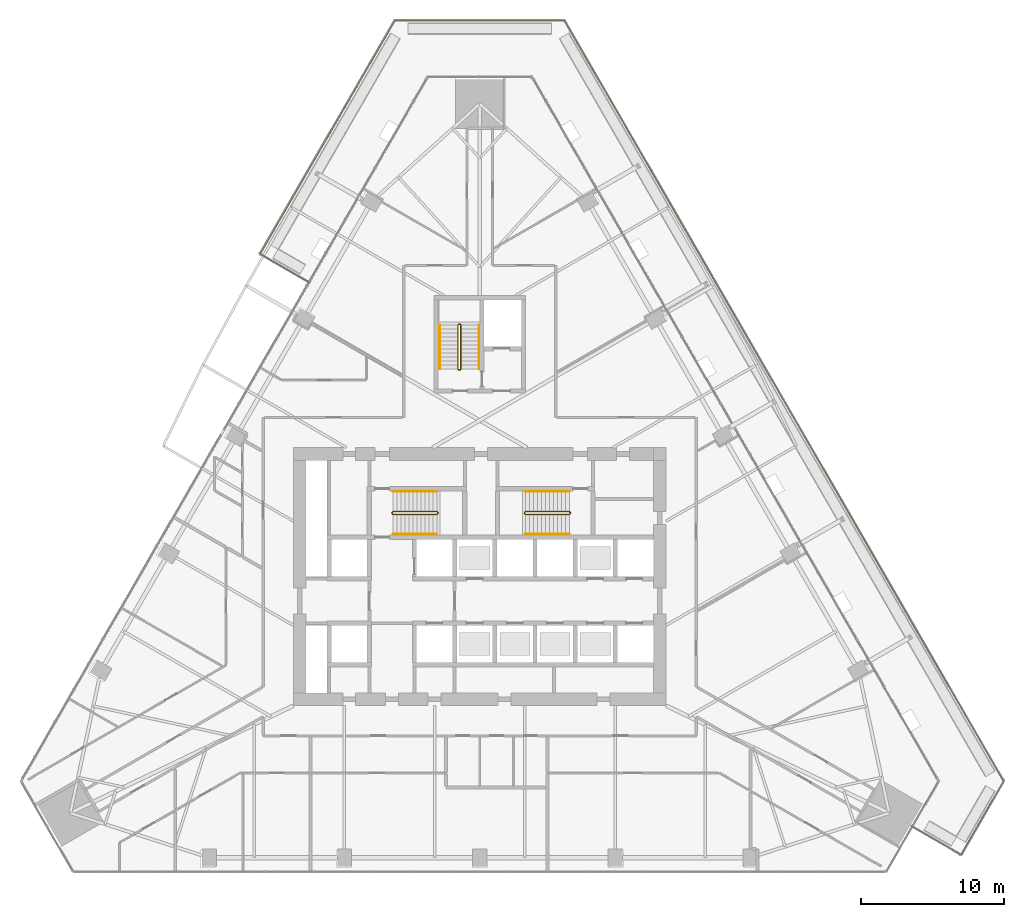
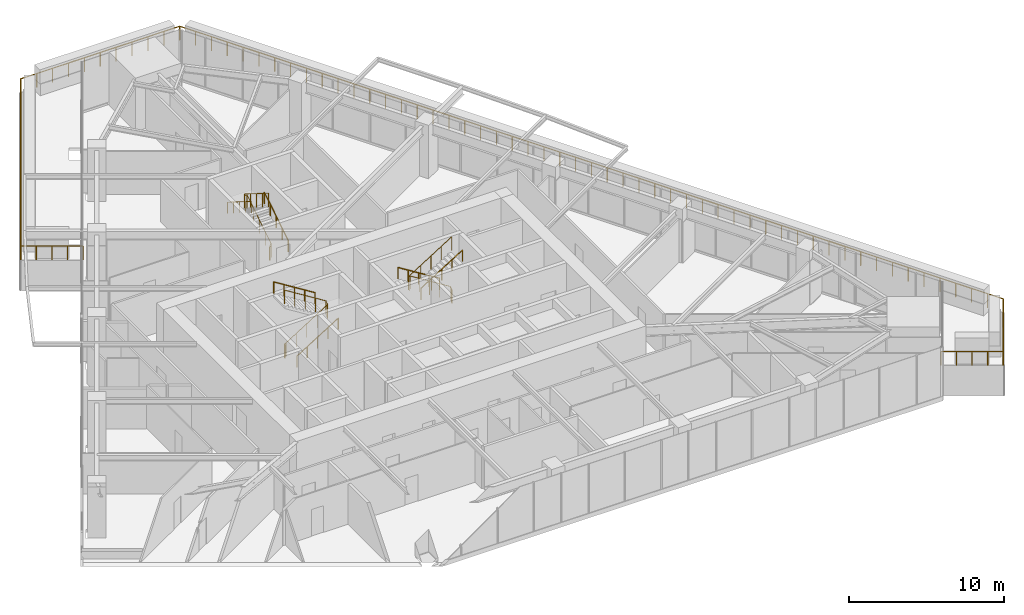
# One storey, part 27 of 29: 10 railings.
"""IFC4 building model written with IfcOpenShell, lengths in metres."""

import ifcopenshell
import ifcopenshell.guid

model = None  # the IFC model being written
_history = None  # IfcOwnerHistory: only IFC2X3 demands one
_inside = {}  # id of a spatial element -> (the spatial element, [elements in it])
_under = {}  # id of a project, library or spatial element -> (it, [spatial elements below it])
_declared = {}  # id of a project -> (the project, [libraries it declares])
_typed = {}  # id of a type object -> (the type object, [elements of that type])
_made_of = {}  # id of a material, layer set ... -> (it, [elements and type objects made of it])


def new_model(schema):
    """Start an empty IFC model of exactly this schema.

    Asked for "IFC4X3", IfcOpenShell would pick the latest addendum, in which some entities
    have other attributes; the version numbers below select the first issue.
    IFC2X3 requires an IfcOwnerHistory on every rooted entity: one is made here for all.
    """
    global model, _history
    if schema == "IFC4X3":
        model = ifcopenshell.file(schema_version=(4, 3, 0, 0))
    else:
        model = ifcopenshell.file(schema=schema)
    _inside.clear()
    _under.clear()
    _declared.clear()
    _typed.clear()
    _made_of.clear()
    _history = None
    if model.schema == "IFC2X3":
        org = make("IfcOrganization", Name="unknown")
        user = make(
            "IfcPersonAndOrganization",
            ThePerson=make("IfcPerson", FamilyName="unknown"),
            TheOrganization=org,
        )
        app = make(
            "IfcApplication",
            ApplicationDeveloper=org,
            Version="unknown",
            ApplicationFullName="unknown",
            ApplicationIdentifier="unknown",
        )
        _history = make(
            "IfcOwnerHistory",
            OwningUser=user,
            OwningApplication=app,
            ChangeAction="ADDED",
            CreationDate=0,
        )
    return model


def make(cls, **values):
    """One entity of the class cls with the attributes given. An attribute that is None is left unset."""
    return model.create_entity(
        cls, **{name: value for name, value in values.items() if value is not None}
    )


def rooted(cls, **values):
    """An entity with a GlobalId (a new one), such as an element, a storey or a relation."""
    return make(cls, GlobalId=ifcopenshell.guid.new(), OwnerHistory=_history, **values)


def si_unit(unit_type, name, prefix=None):
    """IfcSIUnit, for example si_unit("LENGTHUNIT", "METRE", prefix="MILLI")."""
    return make("IfcSIUnit", UnitType=unit_type, Prefix=prefix, Name=name)


def assignment(units):
    """IfcUnitAssignment: the units of a project."""
    return None if units is None else make("IfcUnitAssignment", Units=units)


def point(xyz):
    """IfcCartesianPoint."""
    return None if xyz is None else make("IfcCartesianPoint", Coordinates=xyz)


def direction(xyz):
    """IfcDirection."""
    return None if xyz is None else make("IfcDirection", DirectionRatios=xyz)


def frame(location, z_axis=None, x_axis=None):
    """IfcAxis2Placement3D, a coordinate frame: its origin and axes. An axis left out is left unset."""
    return make(
        "IfcAxis2Placement3D",
        Location=point(location),
        Axis=direction(z_axis),
        RefDirection=direction(x_axis),
    )


def frame_2d(location, x_axis=None):
    """IfcAxis2Placement2D, a coordinate frame in the plane: its origin and x axis."""
    return make(
        "IfcAxis2Placement2D", Location=point(location), RefDirection=direction(x_axis)
    )


def origin():
    """The frame at (0, 0, 0) with its axes left unset."""
    return frame((0.0, 0.0, 0.0))


def origin_2d():
    """The frame at (0, 0) in the plane with its x axis left unset."""
    return frame_2d((0.0, 0.0))


def place(relative_to, where):
    """IfcLocalPlacement: puts the frame where relative to a parent placement (None: the world)."""
    return make(
        "IfcLocalPlacement", PlacementRelTo=relative_to, RelativePlacement=where
    )


def context(
    kind, dimensions, precision=None, world=None, true_north=None, identifier=None
):
    """IfcGeometricRepresentationContext, for example the 3D "Model" context."""
    return make(
        "IfcGeometricRepresentationContext",
        ContextIdentifier=identifier,
        ContextType=kind,
        CoordinateSpaceDimension=dimensions,
        Precision=precision,
        WorldCoordinateSystem=world,
        TrueNorth=true_north,
    )


def subcontext(parent, identifier, kind, view, scale=None):
    """IfcGeometricRepresentationSubContext, for example "Body" below "Model"."""
    return make(
        "IfcGeometricRepresentationSubContext",
        ContextIdentifier=identifier,
        ContextType=kind,
        ParentContext=parent,
        TargetScale=scale,
        TargetView=view,
    )


def project(units=None, contexts=None):
    """IfcProject with its units and contexts."""
    return rooted(
        "IfcProject",
        Name="project",
        RepresentationContexts=contexts,
        UnitsInContext=assignment(units),
    )


def spatial(cls, under=None, at=None, **own):
    """A site, building, storey or space (cls), placed at a placement, below another one or the project."""
    s = rooted(cls, ObjectPlacement=at, **own)
    if under is not None:
        _under.setdefault(under.id(), (under, []))[1].append(s)
    return s


def profile(cls, at=None, kind="AREA", **sizes):
    """A parametric profile (cls). Its sizes go by their IFC names, for example OverallWidth=200.0."""
    return make(cls, ProfileType=kind, Position=at, **sizes)


def circle(**sizes):
    """IfcCircleProfileDef."""
    return profile("IfcCircleProfileDef", **sizes)


def extrude(swept, where, along, depth):
    """IfcExtrudedAreaSolid: the profile swept, set in the frame where, extruded along a direction by depth."""
    return make(
        "IfcExtrudedAreaSolid",
        SweptArea=swept,
        Position=where,
        ExtrudedDirection=direction(along),
        Depth=depth,
    )


def shape(context_of_items, identifier, shape_type, items):
    """IfcShapeRepresentation: the items that make up one representation, for example the "Body"."""
    return make(
        "IfcShapeRepresentation",
        ContextOfItems=context_of_items,
        RepresentationIdentifier=identifier,
        RepresentationType=shape_type,
        Items=items,
    )


def material(Name=None, Category=None):
    """IfcMaterial."""
    return make("IfcMaterial", Name=Name, Category=Category)


def made_of(thing, what):
    """Note that an element or type object is made of a material, layer set ...; save() writes the relation."""
    if what is not None:
        _made_of.setdefault(what.id(), (what, []))[1].append(thing)
    return thing


def type_object(cls, material=None, **own):
    """A type object (cls), such as IfcWallType, which elements share."""
    return made_of(rooted(cls, **own), material)


def element(
    cls,
    number,
    at=None,
    inside=None,
    cuts=None,
    type_object=None,
    material=None,
    context=None,
    identifier="Body",
    shape_type=None,
    held_by="IfcProductDefinitionShape",
    body=None,
    shapes=None,
    **own,
):
    """One element of the class cls, such as IfcWall. Its Tag is "e" and its number.

    at: its placement. inside: the storey or other place that contains it. cuts: it is an
    opening in that element (IfcRelVoidsElement). A single representation is given by context,
    identifier, shape_type and body (its items); several are given by shapes. held_by: the class
    of the entity that holds the representations. save() writes the other relations.
    """
    e = rooted(cls, Tag="e%d" % number, ObjectPlacement=at, **own)
    if body is not None:
        shapes = [shape(context, identifier, shape_type, body)]
    if shapes is not None:
        e.Representation = make(held_by, Representations=shapes)
    if inside is not None:
        _inside.setdefault(inside.id(), (inside, []))[1].append(e)
    if cuts is not None:
        rooted(
            "IfcRelVoidsElement", RelatingBuildingElement=cuts, RelatedOpeningElement=e
        )
    if type_object is not None:
        _typed.setdefault(type_object.id(), (type_object, []))[1].append(e)
    return made_of(e, material)


def aggregate(whole, parts):
    """IfcRelAggregates: a whole, such as a stair, and the parts it consists of."""
    return rooted("IfcRelAggregates", RelatingObject=whole, RelatedObjects=parts)


def save(model, path):
    """Write the relations noted so far, then the file.

    IfcRelAggregates (storeys below a building ...), IfcRelContainedInSpatialStructure (elements
    in a storey), IfcRelDefinesByType, IfcRelAssociatesMaterial and IfcRelDeclares: one each for
    every whole, place, type object, material and project.
    """
    for whole, parts in _under.values():
        aggregate(whole, parts)
    for where, things in _inside.values():
        rooted(
            "IfcRelContainedInSpatialStructure",
            RelatedElements=things,
            RelatingStructure=where,
        )
    for kind, things in _typed.values():
        rooted("IfcRelDefinesByType", RelatedObjects=things, RelatingType=kind)
    for what, things in _made_of.values():
        rooted("IfcRelAssociatesMaterial", RelatedObjects=things, RelatingMaterial=what)
    for by, libraries in _declared.values():
        rooted("IfcRelDeclares", RelatingContext=by, RelatedDefinitions=libraries)
    model.write(path)


model = new_model("IFC4")

# Units and contexts
model_context = context("Model", 3, precision=1e-05, world=origin(), true_north=direction((0.0, 1.0)))
body_context = subcontext(model_context, "Body", "Model", "MODEL_VIEW")
ifc_project = project(units=[si_unit("LENGTHUNIT", "METRE"), si_unit("AREAUNIT", "SQUARE_METRE"), si_unit("VOLUMEUNIT", "CUBIC_METRE"), si_unit("PLANEANGLEUNIT", "RADIAN"), si_unit("MASSUNIT", "GRAM", prefix="KILO")], contexts=[model_context])

# Site, building, storey
site_placement = place(None, origin())
site = spatial("IfcSite", under=ifc_project, at=site_placement, CompositionType="ELEMENT")
building_placement = place(site_placement, origin())
building = spatial("IfcBuilding", under=site, at=building_placement, Name="Firuza Gate Tower and Library", CompositionType="ELEMENT")
storey_placement = place(building_placement, frame((0.0, 0.0, 82.0)))
storey = spatial("IfcBuildingStorey", under=building, at=storey_placement, Name="L18", CompositionType="ELEMENT", Elevation=82.0)

# Railings
ifc_material_1 = material(Name="Steel S355", Category="steel")
railing_type_1 = type_object("IfcRailingType", Name="Stair guard 1100", PredefinedType="GUARDRAIL", material=ifc_material_1)
railing_1_placement = place(storey_placement, frame((68.889892578125, 79.389892578125, 0.0)))
element("IfcRailing", 1, at=railing_1_placement, inside=storey, type_object=railing_type_1, Name="L18 ST1 stair guard 1", PredefinedType="GUARDRAIL", context=body_context, shape_type="SweptSolid", body=[
    extrude(circle(Radius=0.02392578125, at=origin_2d()), frame((0.0, 0.0, 1.076171875), z_axis=(0.0, 1.0, 0.0), x_axis=(-1.0, 0.0, 0.0)), (0.0, 0.0, 1.0), 0.10009765625),
    extrude(circle(Radius=0.02392578125, at=origin_2d()), frame((0.0, 0.10009765625, 1.076171875), z_axis=(0.21222055169, -0.635626432867, 0.742254319813), x_axis=(0.948528701346, 0.316691178788, 0.0)), (0.0, 0.0, 1.0), 0.23583984375),
    extrude(circle(Radius=0.02392578125, at=origin_2d()), frame((0.050048828125, -0.0498046875, 1.2509765625), z_axis=(0.847998304005, 0.0, 0.529998940003), x_axis=(0.0, 1.0, 0.0)), (0.0, 0.0, 1.0), 3.632080078125),
    extrude(circle(Radius=0.02392578125, at=origin_2d()), frame((3.130126953125, -0.0498046875, 3.17626953125), z_axis=(0.708833529934, 0.705375805398, 0.0), x_axis=(-0.705375805398, 0.708833529934, 0.0)), (0.0, 0.0, 1.0), 0.070556640625),
    extrude(circle(Radius=0.02392578125, at=origin_2d()), frame((3.18017578125, 0.0, 3.17626953125), z_axis=(0.0, 1.0, 0.0), x_axis=(-1.0, 0.0, 0.0)), (0.0, 0.0, 1.0), 0.10009765625),
    extrude(circle(Radius=0.02392578125, at=origin_2d()), frame((3.18017578125, 0.10009765625, 3.17626953125), z_axis=(-0.265383341853, 0.265383341853, 0.926899867156), x_axis=(-0.707106781187, -0.707106781187, 0.0)), (0.0, 0.0, 1.0), 0.1884765625),
    extrude(circle(Radius=0.02392578125, at=origin_2d()), frame((3.130126953125, 0.150146484375, 3.35107421875), z_axis=(-0.847998304005, 0.0, 0.529998940003), x_axis=(0.0, -1.0, 0.0)), (0.0, 0.0, 1.0), 3.632080078125),
    extrude(circle(Radius=0.02099609375, at=origin_2d()), origin(), (0.0, 0.0, 1.0), 1.052001953125),
    extrude(circle(Radius=0.02099609375, at=origin_2d()), frame((0.0, 0.10009765625, 0.0)), (0.0, 0.0, 1.0), 1.052001953125),
    extrude(circle(Radius=0.02099609375, at=origin_2d()), frame((0.050048828125, -0.0498046875, 0.175048828125)), (0.0, 0.0, 1.0), 1.052001953125),
    extrude(circle(Radius=0.02099609375, at=origin_2d()), frame((0.820068359375, -0.0498046875, 0.65625)), (0.0, 0.0, 1.0), 1.052001953125),
    extrude(circle(Radius=0.02099609375, at=origin_2d()), frame((1.590087890625, -0.0498046875, 1.1376953125)), (0.0, 0.0, 1.0), 1.052001953125),
    extrude(circle(Radius=0.02099609375, at=origin_2d()), frame((2.360107421875, -0.0498046875, 1.618896484375)), (0.0, 0.0, 1.0), 1.052001953125),
    extrude(circle(Radius=0.02099609375, at=origin_2d()), frame((3.130126953125, -0.0498046875, 2.10009765625)), (0.0, 0.0, 1.0), 1.052001953125),
    extrude(circle(Radius=0.02099609375, at=origin_2d()), frame((3.18017578125, 0.0, 2.10009765625)), (0.0, 0.0, 1.0), 1.052001953125),
    extrude(circle(Radius=0.02099609375, at=origin_2d()), frame((3.18017578125, 0.10009765625, 2.10009765625)), (0.0, 0.0, 1.0), 1.052001953125),
    extrude(circle(Radius=0.02099609375, at=origin_2d()), frame((3.130126953125, 0.150146484375, 2.27490234375)), (0.0, 0.0, 1.0), 1.052001953125),
    extrude(circle(Radius=0.02099609375, at=origin_2d()), frame((2.360107421875, 0.150146484375, 2.756103515625)), (0.0, 0.0, 1.0), 1.052001953125),
    extrude(circle(Radius=0.02099609375, at=origin_2d()), frame((1.590087890625, 0.150146484375, 3.2373046875)), (0.0, 0.0, 1.0), 1.052001953125),
    extrude(circle(Radius=0.02099609375, at=origin_2d()), frame((0.820068359375, 0.150146484375, 3.71875)), (0.0, 0.0, 1.0), 1.052001953125),
    extrude(circle(Radius=0.02099609375, at=origin_2d()), frame((0.050048828125, 0.150146484375, 4.199951171875)), (0.0, 0.0, 1.0), 1.052001953125),
])
railing_2_placement = place(storey_placement, frame((81.31005859375, 79.489990234375, 0.0)))
element("IfcRailing", 2, at=railing_2_placement, inside=storey, type_object=railing_type_1, Name="L18 ST2 stair guard 1", PredefinedType="GUARDRAIL", context=body_context, shape_type="SweptSolid", body=[
    extrude(circle(Radius=0.02392578125, at=origin_2d()), frame((0.0, 0.0, 1.076171875), z_axis=(0.0, -1.0, 0.0), x_axis=(1.0, 0.0, 0.0)), (0.0, 0.0, 1.0), 0.10009765625),
    extrude(circle(Radius=0.02392578125, at=origin_2d()), frame((0.0, -0.10009765625, 1.076171875), z_axis=(-0.212080931658, 0.636242794973, 0.741765990237), x_axis=(-0.948683298051, -0.316227766017, 0.0)), (0.0, 0.0, 1.0), 0.236083984375),
    extrude(circle(Radius=0.02392578125, at=origin_2d()), frame((-0.050048828125, 0.050048828125, 1.2509765625), z_axis=(-0.847998304005, 0.0, 0.529998940003), x_axis=(0.0, -1.0, 0.0)), (0.0, 0.0, 1.0), 3.632080078125),
    extrude(circle(Radius=0.02392578125, at=origin_2d()), frame((-3.130126953125, 0.050048828125, 3.17626953125), z_axis=(-0.707106781187, -0.707106781187, 0.0), x_axis=(0.707106781187, -0.707106781187, 0.0)), (0.0, 0.0, 1.0), 0.07080078125),
    extrude(circle(Radius=0.02392578125, at=origin_2d()), frame((-3.18017578125, 0.0, 3.17626953125), z_axis=(0.0, -1.0, 0.0), x_axis=(1.0, 0.0, 0.0)), (0.0, 0.0, 1.0), 0.10009765625),
    extrude(circle(Radius=0.02392578125, at=origin_2d()), frame((-3.18017578125, -0.10009765625, 3.17626953125), z_axis=(0.265474339444, -0.264179342666, 0.927217692888), x_axis=(0.705375805398, 0.708833529934, 0.0)), (0.0, 0.0, 1.0), 0.1884765625),
    extrude(circle(Radius=0.02392578125, at=origin_2d()), frame((-3.130126953125, -0.14990234375, 3.35107421875), z_axis=(0.847998304005, 0.0, 0.529998940003), x_axis=(0.0, 1.0, 0.0)), (0.0, 0.0, 1.0), 3.632080078125),
    extrude(circle(Radius=0.02099609375, at=origin_2d()), origin(), (0.0, 0.0, 1.0), 1.052001953125),
    extrude(circle(Radius=0.02099609375, at=origin_2d()), frame((0.0, -0.10009765625, 0.0)), (0.0, 0.0, 1.0), 1.052001953125),
    extrude(circle(Radius=0.02099609375, at=origin_2d()), frame((-0.050048828125, 0.050048828125, 0.175048828125)), (0.0, 0.0, 1.0), 1.052001953125),
    extrude(circle(Radius=0.02099609375, at=origin_2d()), frame((-0.820068359375, 0.050048828125, 0.65625)), (0.0, 0.0, 1.0), 1.052001953125),
    extrude(circle(Radius=0.02099609375, at=origin_2d()), frame((-1.590087890625, 0.050048828125, 1.1376953125)), (0.0, 0.0, 1.0), 1.052001953125),
    extrude(circle(Radius=0.02099609375, at=origin_2d()), frame((-2.360107421875, 0.050048828125, 1.618896484375)), (0.0, 0.0, 1.0), 1.052001953125),
    extrude(circle(Radius=0.02099609375, at=origin_2d()), frame((-3.130126953125, 0.050048828125, 2.10009765625)), (0.0, 0.0, 1.0), 1.052001953125),
    extrude(circle(Radius=0.02099609375, at=origin_2d()), frame((-3.18017578125, 0.0, 2.10009765625)), (0.0, 0.0, 1.0), 1.052001953125),
    extrude(circle(Radius=0.02099609375, at=origin_2d()), frame((-3.18017578125, -0.10009765625, 2.10009765625)), (0.0, 0.0, 1.0), 1.052001953125),
    extrude(circle(Radius=0.02099609375, at=origin_2d()), frame((-3.130126953125, -0.14990234375, 2.27490234375)), (0.0, 0.0, 1.0), 1.052001953125),
    extrude(circle(Radius=0.02099609375, at=origin_2d()), frame((-2.360107421875, -0.14990234375, 2.756103515625)), (0.0, 0.0, 1.0), 1.052001953125),
    extrude(circle(Radius=0.02099609375, at=origin_2d()), frame((-1.590087890625, -0.14990234375, 3.2373046875)), (0.0, 0.0, 1.0), 1.052001953125),
    extrude(circle(Radius=0.02099609375, at=origin_2d()), frame((-0.820068359375, -0.14990234375, 3.71875)), (0.0, 0.0, 1.0), 1.052001953125),
    extrude(circle(Radius=0.02099609375, at=origin_2d()), frame((-0.050048828125, -0.14990234375, 4.199951171875)), (0.0, 0.0, 1.0), 1.052001953125),
])
railing_3_placement = place(storey_placement, frame((73.6298828125, 89.419921875, 0.0)))
element("IfcRailing", 3, at=railing_3_placement, inside=storey, type_object=railing_type_1, Name="L18 ST3 stair guard 1", PredefinedType="GUARDRAIL", context=body_context, shape_type="SweptSolid", body=[
    extrude(circle(Radius=0.02392578125, at=origin_2d()), frame((0.0, 0.0, 1.076171875), z_axis=(-1.0, 0.0, 0.0), x_axis=(0.0, -1.0, 0.0)), (0.0, 0.0, 1.0), 0.099853515625),
    extrude(circle(Radius=0.02392578125, at=origin_2d()), frame((-0.099853515625, 0.0, 1.076171875), z_axis=(0.635626432867, 0.21222055169, 0.742254319813), x_axis=(-0.316691178788, 0.948528701346, 0.0)), (0.0, 0.0, 1.0), 0.23583984375),
    extrude(circle(Radius=0.02392578125, at=origin_2d()), frame((0.050048828125, 0.050048828125, 1.2509765625), z_axis=(0.0, 0.847998304005, 0.529998940003), x_axis=(-1.0, 0.0, 0.0)), (0.0, 0.0, 1.0), 3.632080078125),
    extrude(circle(Radius=0.02392578125, at=origin_2d()), frame((0.050048828125, 3.130126953125, 3.17626953125), z_axis=(-0.707106781187, 0.707106781187, 0.0), x_axis=(-0.707106781187, -0.707106781187, 0.0)), (0.0, 0.0, 1.0), 0.07080078125),
    extrude(circle(Radius=0.02392578125, at=origin_2d()), frame((0.0, 3.18017578125, 3.17626953125), z_axis=(-1.0, 0.0, 0.0), x_axis=(0.0, -1.0, 0.0)), (0.0, 0.0, 1.0), 0.099853515625),
    extrude(circle(Radius=0.02392578125, at=origin_2d()), frame((-0.099853515625, 3.18017578125, 3.17626953125), z_axis=(-0.265383341853, -0.265383341853, 0.926899867156), x_axis=(0.707106781187, -0.707106781187, 0.0)), (0.0, 0.0, 1.0), 0.1884765625),
    extrude(circle(Radius=0.02392578125, at=origin_2d()), frame((-0.14990234375, 3.130126953125, 3.35107421875), z_axis=(0.0, -0.847998304005, 0.529998940003), x_axis=(1.0, 0.0, 0.0)), (0.0, 0.0, 1.0), 3.632080078125),
    extrude(circle(Radius=0.02099609375, at=origin_2d()), origin(), (0.0, 0.0, 1.0), 1.052001953125),
    extrude(circle(Radius=0.02099609375, at=origin_2d()), frame((-0.099853515625, 0.0, 0.0)), (0.0, 0.0, 1.0), 1.052001953125),
    extrude(circle(Radius=0.02099609375, at=origin_2d()), frame((0.050048828125, 0.050048828125, 0.175048828125)), (0.0, 0.0, 1.0), 1.052001953125),
    extrude(circle(Radius=0.02099609375, at=origin_2d()), frame((0.050048828125, 0.820068359375, 0.65625)), (0.0, 0.0, 1.0), 1.052001953125),
    extrude(circle(Radius=0.02099609375, at=origin_2d()), frame((0.050048828125, 1.590087890625, 1.1376953125)), (0.0, 0.0, 1.0), 1.052001953125),
    extrude(circle(Radius=0.02099609375, at=origin_2d()), frame((0.050048828125, 2.360107421875, 1.618896484375)), (0.0, 0.0, 1.0), 1.052001953125),
    extrude(circle(Radius=0.02099609375, at=origin_2d()), frame((0.050048828125, 3.130126953125, 2.10009765625)), (0.0, 0.0, 1.0), 1.052001953125),
    extrude(circle(Radius=0.02099609375, at=origin_2d()), frame((0.0, 3.18017578125, 2.10009765625)), (0.0, 0.0, 1.0), 1.052001953125),
    extrude(circle(Radius=0.02099609375, at=origin_2d()), frame((-0.099853515625, 3.18017578125, 2.10009765625)), (0.0, 0.0, 1.0), 1.052001953125),
    extrude(circle(Radius=0.02099609375, at=origin_2d()), frame((-0.14990234375, 3.130126953125, 2.27490234375)), (0.0, 0.0, 1.0), 1.052001953125),
    extrude(circle(Radius=0.02099609375, at=origin_2d()), frame((-0.14990234375, 2.360107421875, 2.756103515625)), (0.0, 0.0, 1.0), 1.052001953125),
    extrude(circle(Radius=0.02099609375, at=origin_2d()), frame((-0.14990234375, 1.590087890625, 3.2373046875)), (0.0, 0.0, 1.0), 1.052001953125),
    extrude(circle(Radius=0.02099609375, at=origin_2d()), frame((-0.14990234375, 0.820068359375, 3.71875)), (0.0, 0.0, 1.0), 1.052001953125),
    extrude(circle(Radius=0.02099609375, at=origin_2d()), frame((-0.14990234375, 0.050048828125, 4.199951171875)), (0.0, 0.0, 1.0), 1.052001953125),
])
ifc_material_2 = material(Name="Steel S355", Category="steel")
railing_type_2 = type_object("IfcRailingType", Name="Stair handrail 900", PredefinedType="HANDRAIL", material=ifc_material_2)
railing_4_placement = place(storey_placement, frame((68.93994140625, 77.949951171875, 0.175048828125)))
element("IfcRailing", 4, at=railing_4_placement, inside=storey, type_object=railing_type_2, Name="L18 ST1 stair handrail 1", PredefinedType="HANDRAIL", context=body_context, shape_type="SweptSolid", body=[
    extrude(circle(Radius=0.02392578125, at=origin_2d()), frame((0.0, 0.0, 0.8759765625), z_axis=(0.847998304005, 0.0, 0.529998940003), x_axis=(0.0, 1.0, 0.0)), (0.0, 0.0, 1.0), 3.632080078125),
    extrude(circle(Radius=0.02099609375, at=origin_2d()), origin(), (0.0, 0.0, 1.0), 0.851806640625),
    extrude(circle(Radius=0.02099609375, at=origin_2d()), frame((0.77001953125, 0.0, 0.481201171875)), (0.0, 0.0, 1.0), 0.851806640625),
    extrude(circle(Radius=0.02099609375, at=origin_2d()), frame((1.5400390625, 0.0, 0.96240234375)), (0.0, 0.0, 1.0), 0.851806640625),
    extrude(circle(Radius=0.02099609375, at=origin_2d()), frame((2.31005859375, 0.0, 1.44384765625)), (0.0, 0.0, 1.0), 0.851806640625),
    extrude(circle(Radius=0.02099609375, at=origin_2d()), frame((3.080078125, 0.0, 1.925048828125)), (0.0, 0.0, 1.0), 0.851806640625),
])
for number, where, name in (
    (5, (72.02001953125, 80.929931640625, 2.27490234375), "L18 ST1 stair handrail 2"),
    (6, (81.260009765625, 80.929931640625, 0.175048828125), "L18 ST2 stair handrail 1"),
):
    element("IfcRailing", number, at=place(storey_placement, frame(where)), inside=storey, type_object=railing_type_2, Name=name, PredefinedType="HANDRAIL", context=body_context, shape_type="SweptSolid", body=[
        extrude(circle(Radius=0.02392578125, at=origin_2d()), frame((0.0, 0.0, 0.8759765625), z_axis=(-0.847998304005, 0.0, 0.529998940003), x_axis=(0.0, -1.0, 0.0)), (0.0, 0.0, 1.0), 3.632080078125),
        extrude(circle(Radius=0.02099609375, at=origin_2d()), origin(), (0.0, 0.0, 1.0), 0.851806640625),
        extrude(circle(Radius=0.02099609375, at=origin_2d()), frame((-0.77001953125, 0.0, 0.481201171875)), (0.0, 0.0, 1.0), 0.851806640625),
        extrude(circle(Radius=0.02099609375, at=origin_2d()), frame((-1.5400390625, 0.0, 0.96240234375)), (0.0, 0.0, 1.0), 0.851806640625),
        extrude(circle(Radius=0.02099609375, at=origin_2d()), frame((-2.31005859375, 0.0, 1.44384765625)), (0.0, 0.0, 1.0), 0.851806640625),
        extrude(circle(Radius=0.02099609375, at=origin_2d()), frame((-3.080078125, 0.0, 1.925048828125)), (0.0, 0.0, 1.0), 0.851806640625),
    ])
railing_5_placement = place(storey_placement, frame((78.179931640625, 77.949951171875, 2.27490234375)))
element("IfcRailing", 7, at=railing_5_placement, inside=storey, type_object=railing_type_2, Name="L18 ST2 stair handrail 2", PredefinedType="HANDRAIL", context=body_context, shape_type="SweptSolid", body=[
    extrude(circle(Radius=0.02392578125, at=origin_2d()), frame((0.0, 0.0, 0.8759765625), z_axis=(0.847998304005, 0.0, 0.529998940003), x_axis=(0.0, 1.0, 0.0)), (0.0, 0.0, 1.0), 3.632080078125),
    extrude(circle(Radius=0.02099609375, at=origin_2d()), origin(), (0.0, 0.0, 1.0), 0.851806640625),
    extrude(circle(Radius=0.02099609375, at=origin_2d()), frame((0.77001953125, 0.0, 0.481201171875)), (0.0, 0.0, 1.0), 0.851806640625),
    extrude(circle(Radius=0.02099609375, at=origin_2d()), frame((1.5400390625, 0.0, 0.96240234375)), (0.0, 0.0, 1.0), 0.851806640625),
    extrude(circle(Radius=0.02099609375, at=origin_2d()), frame((2.31005859375, 0.0, 1.44384765625)), (0.0, 0.0, 1.0), 0.851806640625),
    extrude(circle(Radius=0.02099609375, at=origin_2d()), frame((3.080078125, 0.0, 1.925048828125)), (0.0, 0.0, 1.0), 0.851806640625),
])
railing_6_placement = place(storey_placement, frame((74.949951171875, 89.469970703125, 0.175048828125)))
element("IfcRailing", 8, at=railing_6_placement, inside=storey, type_object=railing_type_2, Name="L18 ST3 stair handrail 1", PredefinedType="HANDRAIL", context=body_context, shape_type="SweptSolid", body=[
    extrude(circle(Radius=0.02392578125, at=origin_2d()), frame((0.0, 0.0, 0.8759765625), z_axis=(0.0, 0.847998304005, 0.529998940003), x_axis=(-1.0, 0.0, 0.0)), (0.0, 0.0, 1.0), 3.632080078125),
    extrude(circle(Radius=0.02099609375, at=origin_2d()), origin(), (0.0, 0.0, 1.0), 0.851806640625),
    extrude(circle(Radius=0.02099609375, at=origin_2d()), frame((0.0, 0.77001953125, 0.481201171875)), (0.0, 0.0, 1.0), 0.851806640625),
    extrude(circle(Radius=0.02099609375, at=origin_2d()), frame((0.0, 1.5400390625, 0.96240234375)), (0.0, 0.0, 1.0), 0.851806640625),
    extrude(circle(Radius=0.02099609375, at=origin_2d()), frame((0.0, 2.31005859375, 1.44384765625)), (0.0, 0.0, 1.0), 0.851806640625),
    extrude(circle(Radius=0.02099609375, at=origin_2d()), frame((0.0, 3.080078125, 1.925048828125)), (0.0, 0.0, 1.0), 0.851806640625),
])
railing_7_placement = place(storey_placement, frame((72.2099609375, 92.550048828125, 2.27490234375)))
element("IfcRailing", 9, at=railing_7_placement, inside=storey, type_object=railing_type_2, Name="L18 ST3 stair handrail 2", PredefinedType="HANDRAIL", context=body_context, shape_type="SweptSolid", body=[
    extrude(circle(Radius=0.02392578125, at=origin_2d()), frame((0.0, 0.0, 0.8759765625), z_axis=(0.0, -0.847998304005, 0.529998940003), x_axis=(1.0, 0.0, 0.0)), (0.0, 0.0, 1.0), 3.632080078125),
    extrude(circle(Radius=0.02099609375, at=origin_2d()), origin(), (0.0, 0.0, 1.0), 0.851806640625),
    extrude(circle(Radius=0.02099609375, at=origin_2d()), frame((0.0, -0.77001953125, 0.481201171875)), (0.0, 0.0, 1.0), 0.851806640625),
    extrude(circle(Radius=0.02099609375, at=origin_2d()), frame((0.0, -1.5400390625, 0.96240234375)), (0.0, 0.0, 1.0), 0.851806640625),
    extrude(circle(Radius=0.02099609375, at=origin_2d()), frame((0.0, -2.31005859375, 1.44384765625)), (0.0, 0.0, 1.0), 0.851806640625),
    extrude(circle(Radius=0.02099609375, at=origin_2d()), frame((0.0, -3.080078125, 1.925048828125)), (0.0, 0.0, 1.0), 0.851806640625),
])
ifc_material_3 = material(Name="Steel S355", Category="steel")
railing_type_3 = type_object("IfcRailingType", Name="Terrace guard 1100", PredefinedType="GUARDRAIL", material=ifc_material_3)
railing_8_placement = place(storey_placement, frame((105.1083984375, 57.616943359375, 0.0)))
element("IfcRailing", 10, at=railing_8_placement, inside=storey, type_object=railing_type_3, Name="Tray guard L18", PredefinedType="GUARDRAIL", context=body_context, shape_type="SweptSolid", body=[
    extrude(circle(Radius=0.02392578125, at=origin_2d()), frame((0.0, 0.0, 1.076171875), z_axis=(0.866026010844, -0.49999894854, 0.0), x_axis=(0.49999894854, 0.866026010844, 0.0)), (0.0, 0.0, 1.0), 4.0),
    extrude(circle(Radius=0.02392578125, at=origin_2d()), frame((3.464111328125, -2.0, 1.076171875), z_axis=(0.500018084612, 0.866014962377, 0.0), x_axis=(-0.866014962377, 0.500018084612, 0.0)), (0.0, 0.0, 1.0), 5.909423828125),
    extrude(circle(Radius=0.02392578125, at=origin_2d()), frame((6.4189453125, 3.11767578125, 1.076171875), z_axis=(-0.500002112793, 0.866024183959, 0.0), x_axis=(-0.866024183959, -0.500002112793, 0.0)), (0.0, 0.0, 1.0), 61.235595703125),
    extrude(circle(Radius=0.02392578125, at=origin_2d()), frame((-24.198974609375, 56.149169921875, 1.076171875), z_axis=(-1.0, 0.0, 0.0), x_axis=(0.0, -1.0, 0.0)), (0.0, 0.0, 1.0), 11.81884765625),
    extrude(circle(Radius=0.02392578125, at=origin_2d()), frame((-36.017822265625, 56.149169921875, 1.076171875), z_axis=(-0.50000188174, -0.866024317358, 0.0), x_axis=(0.866024317358, -0.50000188174, 0.0)), (0.0, 0.0, 1.0), 18.78173828125),
    extrude(circle(Radius=0.02392578125, at=origin_2d()), frame((-45.40869140625, 39.8837890625, 1.076171875), z_axis=(0.866026010844, -0.49999894854, 0.0), x_axis=(0.49999894854, 0.866026010844, 0.0)), (0.0, 0.0, 1.0), 4.0),
    extrude(circle(Radius=0.02099609375, at=origin_2d()), origin(), (0.0, 0.0, 1.0), 1.052001953125),
    extrude(circle(Radius=0.02099609375, at=origin_2d()), frame((0.865966796875, -0.5, 0.0)), (0.0, 0.0, 1.0), 1.052001953125),
    extrude(circle(Radius=0.02099609375, at=origin_2d()), frame((1.73193359375, -1.0, 0.0)), (0.0, 0.0, 1.0), 1.052001953125),
    extrude(circle(Radius=0.02099609375, at=origin_2d()), frame((2.59814453125, -1.5, 0.0)), (0.0, 0.0, 1.0), 1.052001953125),
    extrude(circle(Radius=0.02099609375, at=origin_2d()), frame((3.464111328125, -2.0, 0.0)), (0.0, 0.0, 1.0), 1.052001953125),
    extrude(circle(Radius=0.02099609375, at=origin_2d()), frame((4.05517578125, -0.9765625, 0.0)), (0.0, 0.0, 1.0), 1.052001953125),
    extrude(circle(Radius=0.02099609375, at=origin_2d()), frame((4.64599609375, 0.047119140625, 0.0)), (0.0, 0.0, 1.0), 1.052001953125),
    extrude(circle(Radius=0.02099609375, at=origin_2d()), frame((5.237060546875, 1.070556640625, 0.0)), (0.0, 0.0, 1.0), 1.052001953125),
    extrude(circle(Radius=0.02099609375, at=origin_2d()), frame((5.827880859375, 2.09423828125, 0.0)), (0.0, 0.0, 1.0), 1.052001953125),
    extrude(circle(Radius=0.02099609375, at=origin_2d()), frame((6.4189453125, 3.11767578125, 0.0)), (0.0, 0.0, 1.0), 1.052001953125),
    extrude(circle(Radius=0.02099609375, at=origin_2d()), frame((5.830078125, 4.137451171875, 0.0)), (0.0, 0.0, 1.0), 1.052001953125),
    extrude(circle(Radius=0.02099609375, at=origin_2d()), frame((5.2412109375, 5.1572265625, 0.0)), (0.0, 0.0, 1.0), 1.052001953125),
    extrude(circle(Radius=0.02099609375, at=origin_2d()), frame((4.652587890625, 6.17724609375, 0.0)), (0.0, 0.0, 1.0), 1.052001953125),
    extrude(circle(Radius=0.02099609375, at=origin_2d()), frame((4.063720703125, 7.197021484375, 0.0)), (0.0, 0.0, 1.0), 1.052001953125),
    extrude(circle(Radius=0.02099609375, at=origin_2d()), frame((3.474853515625, 8.216796875, 0.0)), (0.0, 0.0, 1.0), 1.052001953125),
    extrude(circle(Radius=0.02099609375, at=origin_2d()), frame((2.88623046875, 9.23681640625, 0.0)), (0.0, 0.0, 1.0), 1.052001953125),
    extrude(circle(Radius=0.02099609375, at=origin_2d()), frame((2.29736328125, 10.256591796875, 0.0)), (0.0, 0.0, 1.0), 1.052001953125),
    extrude(circle(Radius=0.02099609375, at=origin_2d()), frame((1.70849609375, 11.2763671875, 0.0)), (0.0, 0.0, 1.0), 1.052001953125),
    extrude(circle(Radius=0.02099609375, at=origin_2d()), frame((1.11962890625, 12.296142578125, 0.0)), (0.0, 0.0, 1.0), 1.052001953125),
    extrude(circle(Radius=0.02099609375, at=origin_2d()), frame((0.53076171875, 13.31591796875, 0.0)), (0.0, 0.0, 1.0), 1.052001953125),
    extrude(circle(Radius=0.02099609375, at=origin_2d()), frame((-0.057861328125, 14.3359375, 0.0)), (0.0, 0.0, 1.0), 1.052001953125),
    extrude(circle(Radius=0.02099609375, at=origin_2d()), frame((-0.646728515625, 15.355712890625, 0.0)), (0.0, 0.0, 1.0), 1.052001953125),
    extrude(circle(Radius=0.02099609375, at=origin_2d()), frame((-1.235595703125, 16.37548828125, 0.0)), (0.0, 0.0, 1.0), 1.052001953125),
    extrude(circle(Radius=0.02099609375, at=origin_2d()), frame((-1.82421875, 17.3955078125, 0.0)), (0.0, 0.0, 1.0), 1.052001953125),
    extrude(circle(Radius=0.02099609375, at=origin_2d()), frame((-2.4130859375, 18.415283203125, 0.0)), (0.0, 0.0, 1.0), 1.052001953125),
    extrude(circle(Radius=0.02099609375, at=origin_2d()), frame((-3.001953125, 19.43505859375, 0.0)), (0.0, 0.0, 1.0), 1.052001953125),
    extrude(circle(Radius=0.02099609375, at=origin_2d()), frame((-3.5908203125, 20.454833984375, 0.0)), (0.0, 0.0, 1.0), 1.052001953125),
    extrude(circle(Radius=0.02099609375, at=origin_2d()), frame((-4.1796875, 21.474609375, 0.0)), (0.0, 0.0, 1.0), 1.052001953125),
    extrude(circle(Radius=0.02099609375, at=origin_2d()), frame((-4.768310546875, 22.49462890625, 0.0)), (0.0, 0.0, 1.0), 1.052001953125),
    extrude(circle(Radius=0.02099609375, at=origin_2d()), frame((-5.357177734375, 23.514404296875, 0.0)), (0.0, 0.0, 1.0), 1.052001953125),
    extrude(circle(Radius=0.02099609375, at=origin_2d()), frame((-5.946044921875, 24.5341796875, 0.0)), (0.0, 0.0, 1.0), 1.052001953125),
    extrude(circle(Radius=0.02099609375, at=origin_2d()), frame((-6.53466796875, 25.55419921875, 0.0)), (0.0, 0.0, 1.0), 1.052001953125),
    extrude(circle(Radius=0.02099609375, at=origin_2d()), frame((-7.12353515625, 26.573974609375, 0.0)), (0.0, 0.0, 1.0), 1.052001953125),
    extrude(circle(Radius=0.02099609375, at=origin_2d()), frame((-7.71240234375, 27.59375, 0.0)), (0.0, 0.0, 1.0), 1.052001953125),
    extrude(circle(Radius=0.02099609375, at=origin_2d()), frame((-8.30126953125, 28.613525390625, 0.0)), (0.0, 0.0, 1.0), 1.052001953125),
    extrude(circle(Radius=0.02099609375, at=origin_2d()), frame((-8.89013671875, 29.63330078125, 0.0)), (0.0, 0.0, 1.0), 1.052001953125),
    extrude(circle(Radius=0.02099609375, at=origin_2d()), frame((-9.478759765625, 30.6533203125, 0.0)), (0.0, 0.0, 1.0), 1.052001953125),
    extrude(circle(Radius=0.02099609375, at=origin_2d()), frame((-10.067626953125, 31.673095703125, 0.0)), (0.0, 0.0, 1.0), 1.052001953125),
    extrude(circle(Radius=0.02099609375, at=origin_2d()), frame((-10.656494140625, 32.69287109375, 0.0)), (0.0, 0.0, 1.0), 1.052001953125),
    extrude(circle(Radius=0.02099609375, at=origin_2d()), frame((-11.2451171875, 33.712890625, 0.0)), (0.0, 0.0, 1.0), 1.052001953125),
    extrude(circle(Radius=0.02099609375, at=origin_2d()), frame((-11.833984375, 34.732666015625, 0.0)), (0.0, 0.0, 1.0), 1.052001953125),
    extrude(circle(Radius=0.02099609375, at=origin_2d()), frame((-12.4228515625, 35.75244140625, 0.0)), (0.0, 0.0, 1.0), 1.052001953125),
    extrude(circle(Radius=0.02099609375, at=origin_2d()), frame((-13.01171875, 36.772216796875, 0.0)), (0.0, 0.0, 1.0), 1.052001953125),
    extrude(circle(Radius=0.02099609375, at=origin_2d()), frame((-13.6005859375, 37.7919921875, 0.0)), (0.0, 0.0, 1.0), 1.052001953125),
    extrude(circle(Radius=0.02099609375, at=origin_2d()), frame((-14.189208984375, 38.81201171875, 0.0)), (0.0, 0.0, 1.0), 1.052001953125),
    extrude(circle(Radius=0.02099609375, at=origin_2d()), frame((-14.778076171875, 39.831787109375, 0.0)), (0.0, 0.0, 1.0), 1.052001953125),
    extrude(circle(Radius=0.02099609375, at=origin_2d()), frame((-15.366943359375, 40.8515625, 0.0)), (0.0, 0.0, 1.0), 1.052001953125),
    extrude(circle(Radius=0.02099609375, at=origin_2d()), frame((-15.95556640625, 41.87158203125, 0.0)), (0.0, 0.0, 1.0), 1.052001953125),
    extrude(circle(Radius=0.02099609375, at=origin_2d()), frame((-16.54443359375, 42.891357421875, 0.0)), (0.0, 0.0, 1.0), 1.052001953125),
    extrude(circle(Radius=0.02099609375, at=origin_2d()), frame((-17.13330078125, 43.9111328125, 0.0)), (0.0, 0.0, 1.0), 1.052001953125),
    extrude(circle(Radius=0.02099609375, at=origin_2d()), frame((-17.72216796875, 44.930908203125, 0.0)), (0.0, 0.0, 1.0), 1.052001953125),
    extrude(circle(Radius=0.02099609375, at=origin_2d()), frame((-18.31103515625, 45.95068359375, 0.0)), (0.0, 0.0, 1.0), 1.052001953125),
    extrude(circle(Radius=0.02099609375, at=origin_2d()), frame((-18.899658203125, 46.970703125, 0.0)), (0.0, 0.0, 1.0), 1.052001953125),
    extrude(circle(Radius=0.02099609375, at=origin_2d()), frame((-19.488525390625, 47.990478515625, 0.0)), (0.0, 0.0, 1.0), 1.052001953125),
    extrude(circle(Radius=0.02099609375, at=origin_2d()), frame((-20.077392578125, 49.01025390625, 0.0)), (0.0, 0.0, 1.0), 1.052001953125),
    extrude(circle(Radius=0.02099609375, at=origin_2d()), frame((-20.666015625, 50.0302734375, 0.0)), (0.0, 0.0, 1.0), 1.052001953125),
    extrude(circle(Radius=0.02099609375, at=origin_2d()), frame((-21.2548828125, 51.050048828125, 0.0)), (0.0, 0.0, 1.0), 1.052001953125),
    extrude(circle(Radius=0.02099609375, at=origin_2d()), frame((-21.84375, 52.06982421875, 0.0)), (0.0, 0.0, 1.0), 1.052001953125),
    extrude(circle(Radius=0.02099609375, at=origin_2d()), frame((-22.4326171875, 53.089599609375, 0.0)), (0.0, 0.0, 1.0), 1.052001953125),
    extrude(circle(Radius=0.02099609375, at=origin_2d()), frame((-23.021484375, 54.109375, 0.0)), (0.0, 0.0, 1.0), 1.052001953125),
    extrude(circle(Radius=0.02099609375, at=origin_2d()), frame((-23.610107421875, 55.12939453125, 0.0)), (0.0, 0.0, 1.0), 1.052001953125),
    extrude(circle(Radius=0.02099609375, at=origin_2d()), frame((-24.198974609375, 56.149169921875, 0.0)), (0.0, 0.0, 1.0), 1.052001953125),
    extrude(circle(Radius=0.02099609375, at=origin_2d()), frame((-25.380859375, 56.149169921875, 0.0)), (0.0, 0.0, 1.0), 1.052001953125),
    extrude(circle(Radius=0.02099609375, at=origin_2d()), frame((-26.562744140625, 56.149169921875, 0.0)), (0.0, 0.0, 1.0), 1.052001953125),
    extrude(circle(Radius=0.02099609375, at=origin_2d()), frame((-27.74462890625, 56.149169921875, 0.0)), (0.0, 0.0, 1.0), 1.052001953125),
    extrude(circle(Radius=0.02099609375, at=origin_2d()), frame((-28.926513671875, 56.149169921875, 0.0)), (0.0, 0.0, 1.0), 1.052001953125),
    extrude(circle(Radius=0.02099609375, at=origin_2d()), frame((-30.1083984375, 56.149169921875, 0.0)), (0.0, 0.0, 1.0), 1.052001953125),
    extrude(circle(Radius=0.02099609375, at=origin_2d()), frame((-31.290283203125, 56.149169921875, 0.0)), (0.0, 0.0, 1.0), 1.052001953125),
    extrude(circle(Radius=0.02099609375, at=origin_2d()), frame((-32.47216796875, 56.149169921875, 0.0)), (0.0, 0.0, 1.0), 1.052001953125),
    extrude(circle(Radius=0.02099609375, at=origin_2d()), frame((-33.654052734375, 56.149169921875, 0.0)), (0.0, 0.0, 1.0), 1.052001953125),
    extrude(circle(Radius=0.02099609375, at=origin_2d()), frame((-34.8359375, 56.149169921875, 0.0)), (0.0, 0.0, 1.0), 1.052001953125),
    extrude(circle(Radius=0.02099609375, at=origin_2d()), frame((-36.017822265625, 56.149169921875, 0.0)), (0.0, 0.0, 1.0), 1.052001953125),
    extrude(circle(Radius=0.02099609375, at=origin_2d()), frame((-36.604736328125, 55.132568359375, 0.0)), (0.0, 0.0, 1.0), 1.052001953125),
    extrude(circle(Radius=0.02099609375, at=origin_2d()), frame((-37.191650390625, 54.115966796875, 0.0)), (0.0, 0.0, 1.0), 1.052001953125),
    extrude(circle(Radius=0.02099609375, at=origin_2d()), frame((-37.778564453125, 53.099365234375, 0.0)), (0.0, 0.0, 1.0), 1.052001953125),
    extrude(circle(Radius=0.02099609375, at=origin_2d()), frame((-38.365478515625, 52.082763671875, 0.0)), (0.0, 0.0, 1.0), 1.052001953125),
    extrude(circle(Radius=0.02099609375, at=origin_2d()), frame((-38.952392578125, 51.066162109375, 0.0)), (0.0, 0.0, 1.0), 1.052001953125),
    extrude(circle(Radius=0.02099609375, at=origin_2d()), frame((-39.539306640625, 50.049560546875, 0.0)), (0.0, 0.0, 1.0), 1.052001953125),
    extrude(circle(Radius=0.02099609375, at=origin_2d()), frame((-40.126220703125, 49.032958984375, 0.0)), (0.0, 0.0, 1.0), 1.052001953125),
    extrude(circle(Radius=0.02099609375, at=origin_2d()), frame((-40.71337890625, 48.0166015625, 0.0)), (0.0, 0.0, 1.0), 1.052001953125),
    extrude(circle(Radius=0.02099609375, at=origin_2d()), frame((-41.30029296875, 47.0, 0.0)), (0.0, 0.0, 1.0), 1.052001953125),
    extrude(circle(Radius=0.02099609375, at=origin_2d()), frame((-41.88720703125, 45.9833984375, 0.0)), (0.0, 0.0, 1.0), 1.052001953125),
    extrude(circle(Radius=0.02099609375, at=origin_2d()), frame((-42.47412109375, 44.966796875, 0.0)), (0.0, 0.0, 1.0), 1.052001953125),
    extrude(circle(Radius=0.02099609375, at=origin_2d()), frame((-43.06103515625, 43.9501953125, 0.0)), (0.0, 0.0, 1.0), 1.052001953125),
    extrude(circle(Radius=0.02099609375, at=origin_2d()), frame((-43.64794921875, 42.93359375, 0.0)), (0.0, 0.0, 1.0), 1.052001953125),
    extrude(circle(Radius=0.02099609375, at=origin_2d()), frame((-44.23486328125, 41.9169921875, 0.0)), (0.0, 0.0, 1.0), 1.052001953125),
    extrude(circle(Radius=0.02099609375, at=origin_2d()), frame((-44.82177734375, 40.900390625, 0.0)), (0.0, 0.0, 1.0), 1.052001953125),
    extrude(circle(Radius=0.02099609375, at=origin_2d()), frame((-45.40869140625, 39.8837890625, 0.0)), (0.0, 0.0, 1.0), 1.052001953125),
    extrude(circle(Radius=0.02099609375, at=origin_2d()), frame((-44.542724609375, 39.3837890625, 0.0)), (0.0, 0.0, 1.0), 1.052001953125),
    extrude(circle(Radius=0.02099609375, at=origin_2d()), frame((-43.6767578125, 38.8837890625, 0.0)), (0.0, 0.0, 1.0), 1.052001953125),
    extrude(circle(Radius=0.02099609375, at=origin_2d()), frame((-42.810546875, 38.3837890625, 0.0)), (0.0, 0.0, 1.0), 1.052001953125),
    extrude(circle(Radius=0.02099609375, at=origin_2d()), frame((-41.944580078125, 37.8837890625, 0.0)), (0.0, 0.0, 1.0), 1.052001953125),
])

save(model, "model.ifc")
